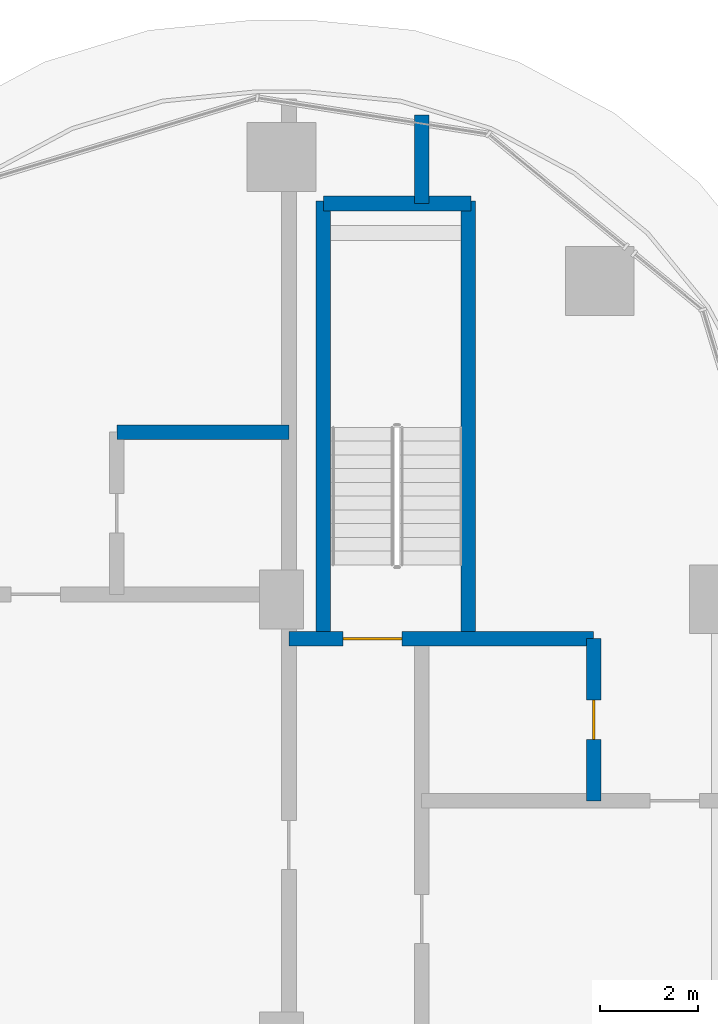
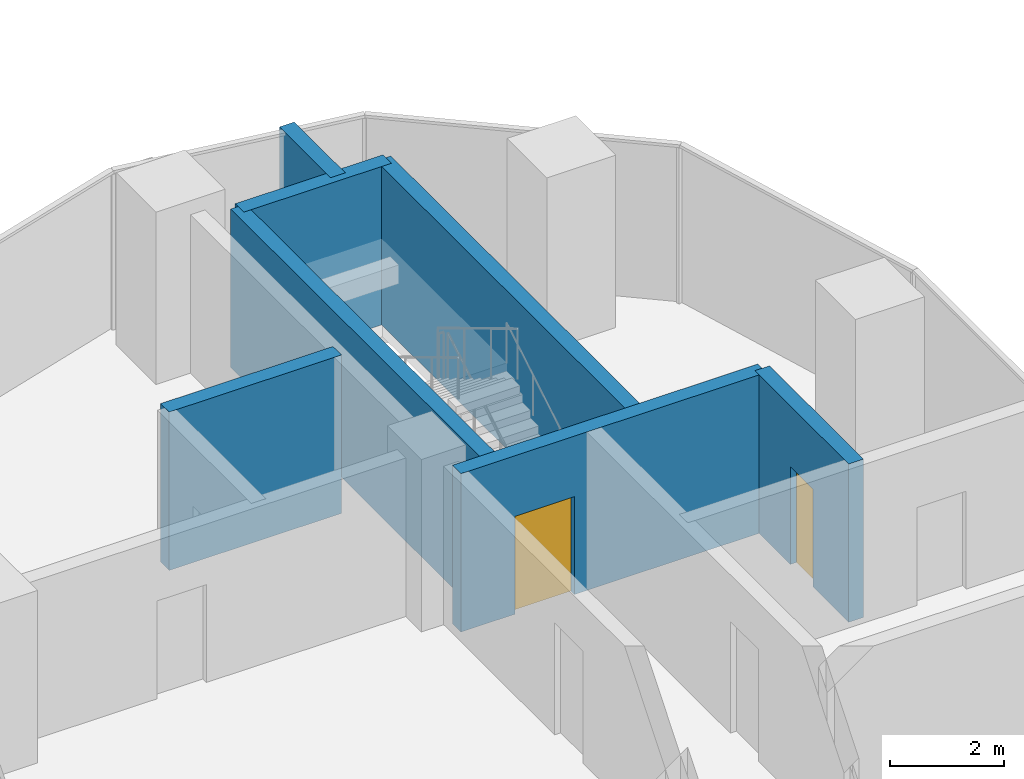
# One storey, part 24 of 39: 7 walls, 2 doors, 2 openings.
"""IFC4 building model written with IfcOpenShell, lengths in metres."""

from ifc_helpers import new_model, si_unit, direction, frame, frame_2d, origin, place, context, subcontext, project, spatial, rectangle, extrude, material, layer, layer_set, type_object, element, fill, save


model = new_model("IFC4")

# Units and contexts
model_context = context("Model", 3, precision=1e-05, world=origin(), true_north=direction((0.0, 1.0)))
body_context = subcontext(model_context, "Body", "Model", "MODEL_VIEW")
ifc_project = project(units=[si_unit("LENGTHUNIT", "METRE"), si_unit("AREAUNIT", "SQUARE_METRE"), si_unit("VOLUMEUNIT", "CUBIC_METRE"), si_unit("PLANEANGLEUNIT", "RADIAN"), si_unit("MASSUNIT", "GRAM", prefix="KILO")], contexts=[model_context])

# Site, building, storey
site_placement = place(None, origin())
site = spatial("IfcSite", under=ifc_project, at=site_placement, CompositionType="ELEMENT")
building_placement = place(site_placement, origin())
building = spatial("IfcBuilding", under=site, at=building_placement, Name="Ogive Portal Towers", CompositionType="ELEMENT")
storey_placement = place(building_placement, frame((0.0, 0.0, 44.60009765625)))
storey = spatial("IfcBuildingStorey", under=building, at=storey_placement, Name="L09", CompositionType="ELEMENT", Elevation=44.60009765625)

# Wall, opening, door
ifc_material_1 = material(Name="Concrete C50/60", Category="concrete")
ifc_layer_1 = layer(ifc_material_1, 0.300048828125)
ifc_layer_set_1 = layer_set([ifc_layer_1], Name="STAIR WALL 300 C50")
wall_type_1 = type_object("IfcWallType", Name="STAIR WALL 300 C50", PredefinedType="SHEAR", material=ifc_layer_set_1)
wall_1_placement = place(storey_placement, frame((40.64990234375, 65.699951171875, 0.0), z_axis=(0.0, 0.0, 1.0), x_axis=(1.0, 0.0, 0.0)))
wall_1 = element("IfcWall", 1, at=wall_1_placement, inside=storey, type_object=wall_type_1, Name="Stair wall ST-A3 L09", PredefinedType="SHEAR", context=body_context, shape_type="SweptSolid", body=[
    extrude(rectangle(XDim=6.2001953125, YDim=0.300048828125, at=frame_2d((3.10009765625, 0.0))), origin(), (0.0, 0.0, 1.0), 3.39990234375),
])
opening_1_placement = place(wall_1_placement, frame((1.10009765625, 0.0, 0.0)))
opening_1 = element("IfcOpeningElement", 2, at=opening_1_placement, cuts=wall_1, Name="Opening D02-068", PredefinedType="OPENING", context=body_context, shape_type="SweptSolid", body=[
    extrude(rectangle(XDim=1.199951171875, YDim=2.10009765625, at=frame_2d((0.60009765625, 1.050048828125))), frame((0.0, 0.16015625, 0.0), z_axis=(0.0, -1.0, 0.0), x_axis=(1.0, 0.0, 0.0)), (0.0, 0.0, 1.0), 0.320068359375),
])
ifc_material_2 = material(Name="Steel fire door", Category="steel")
door_type_1 = type_object("IfcDoorType", Name="DT-STAIR-1200x2100-FD90S", OperationType="SINGLE_SWING_LEFT", PredefinedType="DOOR", material=ifc_material_2)
door_1_placement = place(opening_1_placement, origin())
door_1 = element("IfcDoor", 3, at=door_1_placement, inside=storey, type_object=door_type_1, Name="Door D02-068", OperationType="SINGLE_SWING_RIGHT", OverallHeight=2.10009765625, OverallWidth=1.199951171875, PredefinedType="DOOR", context=body_context, shape_type="SweptSolid", body=[
    extrude(rectangle(XDim=1.199951171875, YDim=2.10009765625, at=frame_2d((0.60009765625, 1.050048828125))), frame((0.0, 0.02490234375, 0.0), z_axis=(0.0, -1.0, 0.0), x_axis=(1.0, 0.0, 0.0)), (0.0, 0.0, 1.0), 0.050048828125),
])
fill(opening_1, door_1)

# Walls
wall_2_placement = place(storey_placement, frame((41.35009765625, 74.550048828125, 0.0), z_axis=(0.0, 0.0, 1.0), x_axis=(1.0, 0.0, 0.0)))
element("IfcWall", 4, at=wall_2_placement, inside=storey, type_object=wall_type_1, Name="Stair wall ST-A3 L09", PredefinedType="SHEAR", context=body_context, shape_type="SweptSolid", body=[
    extrude(rectangle(XDim=3.0, YDim=0.300048828125, at=frame_2d((1.5, 0.0))), origin(), (0.0, 0.0, 1.0), 3.39990234375),
])
wall_3_placement = place(storey_placement, frame((41.35009765625, 65.75, 0.0), z_axis=(0.0, 0.0, 1.0), x_axis=(0.0, 1.0, 0.0)))
element("IfcWall", 5, at=wall_3_placement, inside=storey, type_object=wall_type_1, Name="Stair wall ST-A3 L09", PredefinedType="SHEAR", context=body_context, shape_type="SweptSolid", body=[
    extrude(rectangle(XDim=8.85009765625, YDim=0.300048828125, at=frame_2d((4.425048828125, 0.0))), origin(), (0.0, 0.0, 1.0), 3.39990234375),
])
wall_4_placement = place(storey_placement, frame((44.300048828125, 65.699951171875, 0.0), z_axis=(0.0, 0.0, 1.0), x_axis=(0.0, 1.0, 0.0)))
element("IfcWall", 6, at=wall_4_placement, inside=storey, type_object=wall_type_1, Name="Stair wall ST-A3 L09", PredefinedType="SHEAR", context=body_context, shape_type="SweptSolid", body=[
    extrude(rectangle(XDim=8.900146484375, YDim=0.300048828125, at=frame_2d((4.4501953125, 0.0))), origin(), (0.0, 0.0, 1.0), 3.39990234375),
])
ifc_material_3 = material(Name="Gypsum board partition on steel studs", Category="steel")
ifc_layer_2 = layer(ifc_material_3, 0.300048828125)
ifc_layer_set_2 = layer_set([ifc_layer_2], Name="WT-PART-300-EI 60")
wall_type_2 = type_object("IfcWallType", Name="WT-PART-300-EI 60", PredefinedType="PARTITIONING", material=ifc_layer_set_2)
wall_5_placement = place(storey_placement, frame((37.14990234375, 69.89990234375, 0.0), z_axis=(0.0, 0.0, 1.0), x_axis=(1.0, 0.0, 0.0)))
element("IfcWall", 7, at=wall_5_placement, inside=storey, type_object=wall_type_2, Name="Wall L09:w031", PredefinedType="PARTITIONING", context=body_context, shape_type="SweptSolid", body=[
    extrude(rectangle(XDim=3.5, YDim=0.300048828125, at=frame_2d((1.75, 0.0))), origin(), (0.0, 0.0, 1.0), 3.39990234375),
])

# Wall, opening, door
wall_6_placement = place(storey_placement, frame((46.85009765625, 62.39990234375, 0.0), z_axis=(0.0, 0.0, 1.0), x_axis=(0.0, 1.0, 0.0)))
wall_6 = element("IfcWall", 8, at=wall_6_placement, inside=storey, type_object=wall_type_2, Name="Wall L09:w044", PredefinedType="PARTITIONING", context=body_context, shape_type="SweptSolid", body=[
    extrude(rectangle(XDim=3.300048828125, YDim=0.300048828125, at=frame_2d((1.64990234375, 0.0))), origin(), (0.0, 0.0, 1.0), 3.39990234375),
])
opening_2_placement = place(wall_6_placement, frame((1.25, 0.0, 0.0)))
opening_2 = element("IfcOpeningElement", 9, at=opening_2_placement, cuts=wall_6, Name="Opening D02-060", PredefinedType="OPENING", context=body_context, shape_type="SweptSolid", body=[
    extrude(rectangle(XDim=0.800048828125, YDim=2.10009765625, at=frame_2d((0.39990234375, 1.050048828125))), frame((0.0, 0.16015625, 0.0), z_axis=(0.0, -1.0, 0.0), x_axis=(1.0, 0.0, 0.0)), (0.0, 0.0, 1.0), 0.320068359375),
])
door_type_2 = type_object("IfcDoorType", Name="DT-BATH-800x2100-FD60S", OperationType="SINGLE_SWING_LEFT", PredefinedType="DOOR", material=ifc_material_2)
door_2_placement = place(opening_2_placement, origin())
door_2 = element("IfcDoor", 10, at=door_2_placement, inside=storey, type_object=door_type_2, Name="Door D02-060", OperationType="SINGLE_SWING_LEFT", OverallHeight=2.10009765625, OverallWidth=0.800048828125, PredefinedType="DOOR", context=body_context, shape_type="SweptSolid", body=[
    extrude(rectangle(XDim=0.800048828125, YDim=2.10009765625, at=frame_2d((0.39990234375, 1.050048828125))), frame((0.0, 0.02490234375, 0.0), z_axis=(0.0, -1.0, 0.0), x_axis=(1.0, 0.0, 0.0)), (0.0, 0.0, 1.0), 0.050048828125),
])
fill(opening_2, door_2)

# Wall
ifc_material_4 = material(Name="Concrete C40/50", Category="concrete")
ifc_layer_3 = layer(ifc_material_4, 0.300048828125)
ifc_layer_set_3 = layer_set([ifc_layer_3], Name="WT-SHAFT-300")
wall_type_3 = type_object("IfcWallType", Name="WT-SHAFT-300", PredefinedType="SOLIDWALL", material=ifc_layer_set_3)
wall_7_placement = place(storey_placement, frame((43.35009765625, 74.550048828125, 0.0), z_axis=(0.0, 0.0, 1.0), x_axis=(0.0, 1.0, 0.0)))
element("IfcWall", 11, at=wall_7_placement, inside=storey, type_object=wall_type_3, Name="Wall L09:w039", PredefinedType="SOLIDWALL", context=body_context, shape_type="SweptSolid", body=[
    extrude(rectangle(XDim=1.799072265625, YDim=0.300048828125, at=frame_2d((0.8994140625, 0.0))), origin(), (0.0, 0.0, 1.0), 3.39990234375),
])

save(model, "model.ifc")
